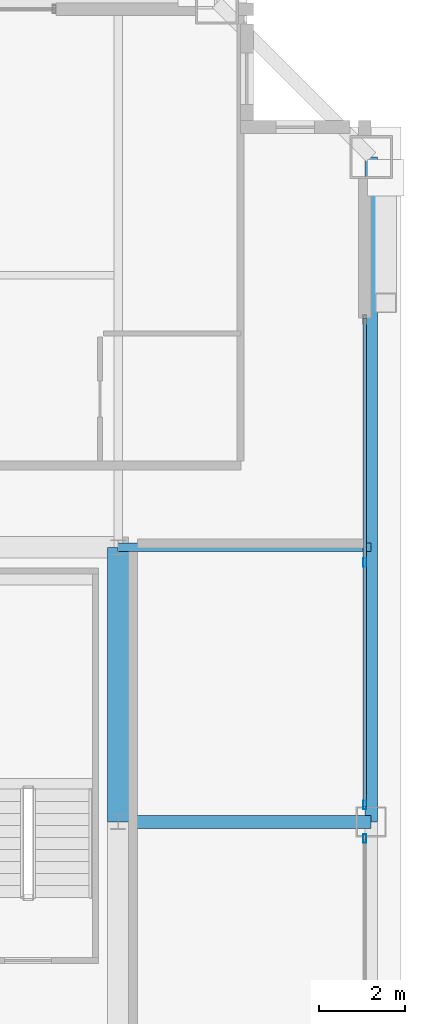
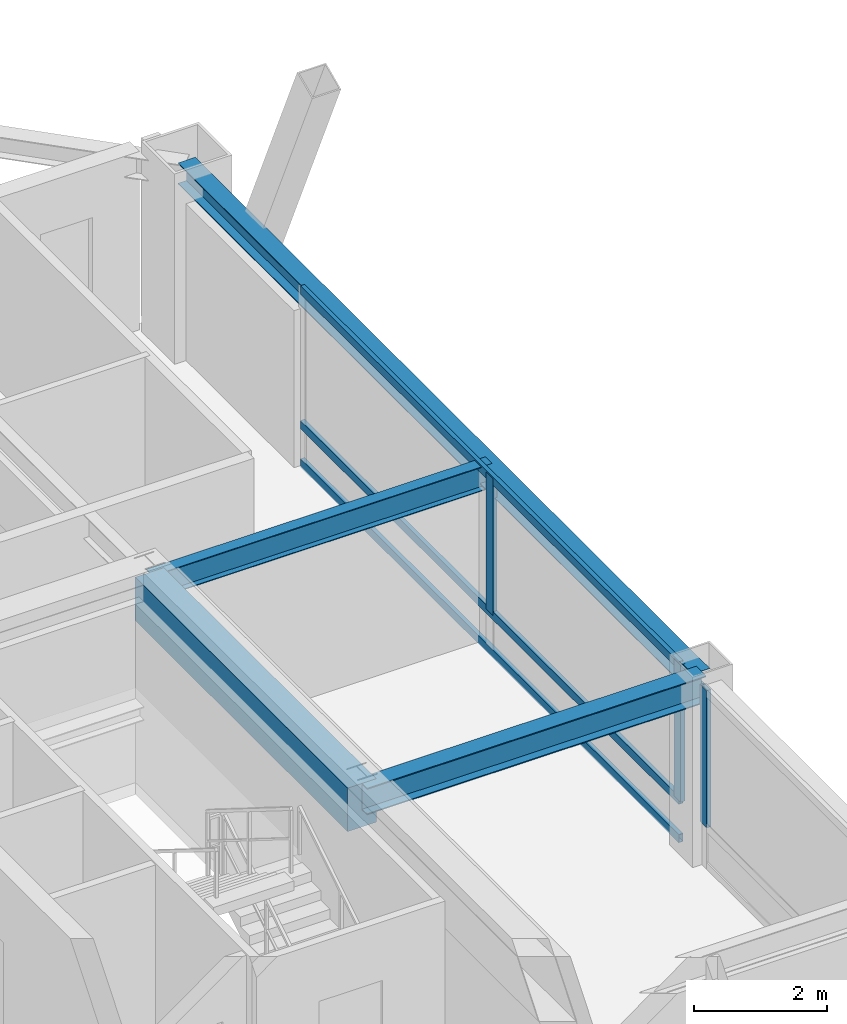
# One storey, part 13 of 33: 6 members, 4 beams, 2 elements without a shape of their own.
"""IFC4 building model written with IfcOpenShell, lengths in metres."""

import ifcopenshell
import ifcopenshell.guid

model = None  # the IFC model being written
_history = None  # IfcOwnerHistory: only IFC2X3 demands one
_inside = {}  # id of a spatial element -> (the spatial element, [elements in it])
_under = {}  # id of a project, library or spatial element -> (it, [spatial elements below it])
_declared = {}  # id of a project -> (the project, [libraries it declares])
_typed = {}  # id of a type object -> (the type object, [elements of that type])
_made_of = {}  # id of a material, layer set ... -> (it, [elements and type objects made of it])


def new_model(schema):
    """Start an empty IFC model of exactly this schema.

    Asked for "IFC4X3", IfcOpenShell would pick the latest addendum, in which some entities
    have other attributes; the version numbers below select the first issue.
    IFC2X3 requires an IfcOwnerHistory on every rooted entity: one is made here for all.
    """
    global model, _history
    if schema == "IFC4X3":
        model = ifcopenshell.file(schema_version=(4, 3, 0, 0))
    else:
        model = ifcopenshell.file(schema=schema)
    _inside.clear()
    _under.clear()
    _declared.clear()
    _typed.clear()
    _made_of.clear()
    _history = None
    if model.schema == "IFC2X3":
        org = make("IfcOrganization", Name="unknown")
        user = make(
            "IfcPersonAndOrganization",
            ThePerson=make("IfcPerson", FamilyName="unknown"),
            TheOrganization=org,
        )
        app = make(
            "IfcApplication",
            ApplicationDeveloper=org,
            Version="unknown",
            ApplicationFullName="unknown",
            ApplicationIdentifier="unknown",
        )
        _history = make(
            "IfcOwnerHistory",
            OwningUser=user,
            OwningApplication=app,
            ChangeAction="ADDED",
            CreationDate=0,
        )
    return model


def make(cls, **values):
    """One entity of the class cls with the attributes given. An attribute that is None is left unset."""
    return model.create_entity(
        cls, **{name: value for name, value in values.items() if value is not None}
    )


def rooted(cls, **values):
    """An entity with a GlobalId (a new one), such as an element, a storey or a relation."""
    return make(cls, GlobalId=ifcopenshell.guid.new(), OwnerHistory=_history, **values)


def si_unit(unit_type, name, prefix=None):
    """IfcSIUnit, for example si_unit("LENGTHUNIT", "METRE", prefix="MILLI")."""
    return make("IfcSIUnit", UnitType=unit_type, Prefix=prefix, Name=name)


def assignment(units):
    """IfcUnitAssignment: the units of a project."""
    return None if units is None else make("IfcUnitAssignment", Units=units)


def point(xyz):
    """IfcCartesianPoint."""
    return None if xyz is None else make("IfcCartesianPoint", Coordinates=xyz)


def direction(xyz):
    """IfcDirection."""
    return None if xyz is None else make("IfcDirection", DirectionRatios=xyz)


def frame(location, z_axis=None, x_axis=None):
    """IfcAxis2Placement3D, a coordinate frame: its origin and axes. An axis left out is left unset."""
    return make(
        "IfcAxis2Placement3D",
        Location=point(location),
        Axis=direction(z_axis),
        RefDirection=direction(x_axis),
    )


def frame_2d(location, x_axis=None):
    """IfcAxis2Placement2D, a coordinate frame in the plane: its origin and x axis."""
    return make(
        "IfcAxis2Placement2D", Location=point(location), RefDirection=direction(x_axis)
    )


def origin():
    """The frame at (0, 0, 0) with its axes left unset."""
    return frame((0.0, 0.0, 0.0))


def origin_2d():
    """The frame at (0, 0) in the plane with its x axis left unset."""
    return frame_2d((0.0, 0.0))


def place(relative_to, where):
    """IfcLocalPlacement: puts the frame where relative to a parent placement (None: the world)."""
    return make(
        "IfcLocalPlacement", PlacementRelTo=relative_to, RelativePlacement=where
    )


def context(
    kind, dimensions, precision=None, world=None, true_north=None, identifier=None
):
    """IfcGeometricRepresentationContext, for example the 3D "Model" context."""
    return make(
        "IfcGeometricRepresentationContext",
        ContextIdentifier=identifier,
        ContextType=kind,
        CoordinateSpaceDimension=dimensions,
        Precision=precision,
        WorldCoordinateSystem=world,
        TrueNorth=true_north,
    )


def subcontext(parent, identifier, kind, view, scale=None):
    """IfcGeometricRepresentationSubContext, for example "Body" below "Model"."""
    return make(
        "IfcGeometricRepresentationSubContext",
        ContextIdentifier=identifier,
        ContextType=kind,
        ParentContext=parent,
        TargetScale=scale,
        TargetView=view,
    )


def project(units=None, contexts=None):
    """IfcProject with its units and contexts."""
    return rooted(
        "IfcProject",
        Name="project",
        RepresentationContexts=contexts,
        UnitsInContext=assignment(units),
    )


def spatial(cls, under=None, at=None, **own):
    """A site, building, storey or space (cls), placed at a placement, below another one or the project."""
    s = rooted(cls, ObjectPlacement=at, **own)
    if under is not None:
        _under.setdefault(under.id(), (under, []))[1].append(s)
    return s


def profile(cls, at=None, kind="AREA", **sizes):
    """A parametric profile (cls). Its sizes go by their IFC names, for example OverallWidth=200.0."""
    return make(cls, ProfileType=kind, Position=at, **sizes)


def rectangle(**sizes):
    """IfcRectangleProfileDef."""
    return profile("IfcRectangleProfileDef", **sizes)


def hollow_rectangle(**sizes):
    """IfcRectangleHollowProfileDef."""
    return profile("IfcRectangleHollowProfileDef", **sizes)


def i_section(**sizes):
    """IfcIShapeProfileDef."""
    return profile("IfcIShapeProfileDef", **sizes)


def extrude(swept, where, along, depth):
    """IfcExtrudedAreaSolid: the profile swept, set in the frame where, extruded along a direction by depth."""
    return make(
        "IfcExtrudedAreaSolid",
        SweptArea=swept,
        Position=where,
        ExtrudedDirection=direction(along),
        Depth=depth,
    )


def shape(context_of_items, identifier, shape_type, items):
    """IfcShapeRepresentation: the items that make up one representation, for example the "Body"."""
    return make(
        "IfcShapeRepresentation",
        ContextOfItems=context_of_items,
        RepresentationIdentifier=identifier,
        RepresentationType=shape_type,
        Items=items,
    )


def source(mapping_origin, context_of_items, identifier, shape_type, items):
    """IfcRepresentationMap: a shape defined once, which mapped items show again and again."""
    return make(
        "IfcRepresentationMap",
        MappingOrigin=mapping_origin,
        MappedRepresentation=shape(context_of_items, identifier, shape_type, items),
    )


def transform(
    local_origin,
    x_axis=None,
    y_axis=None,
    z_axis=None,
    scale=None,
    scale2=None,
    scale3=None,
    uniform=True,
):
    """IfcCartesianTransformationOperator3D, or its non-uniform kind. x_axis, y_axis, z_axis: its Axis1, 2, 3."""
    if uniform:
        return make(
            "IfcCartesianTransformationOperator3D",
            Axis1=direction(x_axis),
            Axis2=direction(y_axis),
            LocalOrigin=point(local_origin),
            Scale=scale,
            Axis3=direction(z_axis),
        )
    return make(
        "IfcCartesianTransformationOperator3DnonUniform",
        Axis1=direction(x_axis),
        Axis2=direction(y_axis),
        LocalOrigin=point(local_origin),
        Scale=scale,
        Axis3=direction(z_axis),
        Scale2=scale2,
        Scale3=scale3,
    )


def mapped(mapping_source, mapping_target):
    """IfcMappedItem: shows the shape of a source again, moved by a transform."""
    return make(
        "IfcMappedItem", MappingSource=mapping_source, MappingTarget=mapping_target
    )


def material(Name=None, Category=None):
    """IfcMaterial."""
    return make("IfcMaterial", Name=Name, Category=Category)


def layer(
    of_material, thickness, ventilated=None, Name=None, Category=None, Priority=None
):
    """IfcMaterialLayer: one layer of a wall or slab, of a material (None: an air gap)."""
    return make(
        "IfcMaterialLayer",
        Material=of_material,
        LayerThickness=thickness,
        IsVentilated=ventilated,
        Name=Name,
        Category=Category,
        Priority=Priority,
    )


def layer_set(layers, Name=None):
    """IfcMaterialLayerSet."""
    return make("IfcMaterialLayerSet", MaterialLayers=layers, LayerSetName=Name)


def material_profile(
    of_material, cross_section, Name=None, Category=None, Priority=None
):
    """IfcMaterialProfile: a cross section and its material."""
    return make(
        "IfcMaterialProfile",
        Name=Name,
        Material=of_material,
        Profile=cross_section,
        Priority=Priority,
        Category=Category,
    )


def profile_set(profiles, Name=None, composite=None):
    """IfcMaterialProfileSet."""
    return make(
        "IfcMaterialProfileSet",
        Name=Name,
        MaterialProfiles=profiles,
        CompositeProfile=composite,
    )


def made_of(thing, what):
    """Note that an element or type object is made of a material, layer set ...; save() writes the relation."""
    if what is not None:
        _made_of.setdefault(what.id(), (what, []))[1].append(thing)
    return thing


def type_object(cls, material=None, **own):
    """A type object (cls), such as IfcWallType, which elements share."""
    return made_of(rooted(cls, **own), material)


def element(
    cls,
    number,
    at=None,
    inside=None,
    cuts=None,
    type_object=None,
    material=None,
    context=None,
    identifier="Body",
    shape_type=None,
    held_by="IfcProductDefinitionShape",
    body=None,
    shapes=None,
    **own,
):
    """One element of the class cls, such as IfcWall. Its Tag is "e" and its number.

    at: its placement. inside: the storey or other place that contains it. cuts: it is an
    opening in that element (IfcRelVoidsElement). A single representation is given by context,
    identifier, shape_type and body (its items); several are given by shapes. held_by: the class
    of the entity that holds the representations. save() writes the other relations.
    """
    e = rooted(cls, Tag="e%d" % number, ObjectPlacement=at, **own)
    if body is not None:
        shapes = [shape(context, identifier, shape_type, body)]
    if shapes is not None:
        e.Representation = make(held_by, Representations=shapes)
    if inside is not None:
        _inside.setdefault(inside.id(), (inside, []))[1].append(e)
    if cuts is not None:
        rooted(
            "IfcRelVoidsElement", RelatingBuildingElement=cuts, RelatedOpeningElement=e
        )
    if type_object is not None:
        _typed.setdefault(type_object.id(), (type_object, []))[1].append(e)
    return made_of(e, material)


def aggregate(whole, parts):
    """IfcRelAggregates: a whole, such as a stair, and the parts it consists of."""
    return rooted("IfcRelAggregates", RelatingObject=whole, RelatedObjects=parts)


def save(model, path):
    """Write the relations noted so far, then the file.

    IfcRelAggregates (storeys below a building ...), IfcRelContainedInSpatialStructure (elements
    in a storey), IfcRelDefinesByType, IfcRelAssociatesMaterial and IfcRelDeclares: one each for
    every whole, place, type object, material and project.
    """
    for whole, parts in _under.values():
        aggregate(whole, parts)
    for where, things in _inside.values():
        rooted(
            "IfcRelContainedInSpatialStructure",
            RelatedElements=things,
            RelatingStructure=where,
        )
    for kind, things in _typed.values():
        rooted("IfcRelDefinesByType", RelatedObjects=things, RelatingType=kind)
    for what, things in _made_of.values():
        rooted("IfcRelAssociatesMaterial", RelatedObjects=things, RelatingMaterial=what)
    for by, libraries in _declared.values():
        rooted("IfcRelDeclares", RelatingContext=by, RelatedDefinitions=libraries)
    model.write(path)


model = new_model("IFC4")

# Units and contexts
model_context = context("Model", 3, precision=1e-05, world=origin(), true_north=direction((0.0, 1.0)))
body_context = subcontext(model_context, "Body", "Model", "MODEL_VIEW")
ifc_project = project(units=[si_unit("LENGTHUNIT", "METRE"), si_unit("AREAUNIT", "SQUARE_METRE"), si_unit("VOLUMEUNIT", "CUBIC_METRE"), si_unit("PLANEANGLEUNIT", "RADIAN"), si_unit("MASSUNIT", "GRAM", prefix="KILO"), si_unit("THERMODYNAMICTEMPERATUREUNIT", "KELVIN"), si_unit("POWERUNIT", "WATT")], contexts=[model_context])

# Site, building, storey
site_placement = place(None, origin())
site = spatial("IfcSite", under=ifc_project, at=site_placement, CompositionType="ELEMENT")
building_placement = place(site_placement, origin())
building = spatial("IfcBuilding", under=site, at=building_placement, Name="Yuzanri Waterfront Tower", CompositionType="ELEMENT")
storey_placement = place(building_placement, frame((0.0, 0.0, 321.699951171875)))
storey = spatial("IfcBuildingStorey", under=building, at=storey_placement, Name="L86", CompositionType="ELEMENT", Elevation=321.699951171875)

# Beams
ifc_material_1 = material(Name="Concrete C50", Category="concrete")
ifc_material_profile_1 = material_profile(ifc_material_1, rectangle(XDim=0.5, YDim=0.800048828125, at=origin_2d()), Name="RC 500x800")
ifc_profile_set_1 = profile_set([ifc_material_profile_1], Name="Concrete C50")
beam_type_1 = type_object("IfcBeamType", Name="Core Coupling Lintel Concrete C50 500x800", PredefinedType="LINTEL", material=ifc_profile_set_1)
shared_shape_1 = source(origin(), body_context, "Body", "SweptSolid", [
    extrude(rectangle(XDim=0.5, YDim=0.800048828125, at=origin_2d()), origin(), (0.0, 0.0, 1.0), 6.39990234375),
])
beam_1_placement = place(storey_placement, frame((50.199951171875, 25.800048828125, 2.880126953125), z_axis=(0.0, 1.0, 0.0), x_axis=(-1.0, 0.0, 0.0)))
element("IfcBeam", 1, at=beam_1_placement, inside=storey, type_object=beam_type_1, Name="L86 Core Tie Beam CE2", PredefinedType="LINTEL", context=body_context, shape_type="MappedRepresentation", body=[
    mapped(shared_shape_1, transform((0.0, 0.0, 0.0), scale=1.0)),
])
ifc_material_2 = material(Name="Steel Q355B", Category="steel")
ifc_material_profile_2 = material_profile(ifc_material_2, i_section(OverallWidth=0.300048828125, OverallDepth=0.389892578125, WebThickness=0.010009765625, FlangeThickness=0.01611328125, at=origin_2d()), Name="HM 390x300x10x16")
ifc_profile_set_2 = profile_set([ifc_material_profile_2], Name="Steel Q355B")
beam_type_2 = type_object("IfcBeamType", Name="Perimeter Spandrel Q355B HM 390x300", PredefinedType="SPANDREL", material=ifc_profile_set_2)
shared_shape_2 = source(origin(), body_context, "Body", "SweptSolid", [
    extrude(i_section(OverallWidth=0.300048828125, OverallDepth=0.389892578125, WebThickness=0.010009765625, FlangeThickness=0.01611328125, at=origin_2d()), origin(), (0.0, 0.0, 1.0), 15.5),
])
beam_2_placement = place(storey_placement, frame((56.10009765625, 25.800048828125, 3.0849609375), z_axis=(0.0, 1.0, 0.0), x_axis=(-1.0, 0.0, 0.0)))
element("IfcBeam", 2, at=beam_2_placement, inside=storey, type_object=beam_type_2, Name="L86 Perimeter Spandrel E2-E3", PredefinedType="SPANDREL", context=body_context, shape_type="MappedRepresentation", body=[
    mapped(shared_shape_2, transform((0.0, 0.0, 0.0), scale=1.0)),
])
ifc_material_3 = material(Name="Steel Q355B", Category="steel")
ifc_material_profile_3 = material_profile(ifc_material_3, i_section(OverallWidth=0.300048828125, OverallDepth=0.488037109375, WebThickness=0.010986328125, FlangeThickness=0.01806640625, at=origin_2d()), Name="HM 488x300x11x18")
ifc_profile_set_3 = profile_set([ifc_material_profile_3], Name="Steel Q355B")
beam_type_3 = type_object("IfcBeamType", Name="Primary Floor Girder Q355B HM 488x300", PredefinedType="BEAM", material=ifc_profile_set_3)
shared_shape_3 = source(origin(), body_context, "Body", "SweptSolid", [
    extrude(i_section(OverallWidth=0.300048828125, OverallDepth=0.488037109375, WebThickness=0.010986328125, FlangeThickness=0.01806640625, at=origin_2d()), origin(), (0.0, 0.0, 1.0), 5.900146484375),
])
beam_3_placement = place(storey_placement, frame((50.199951171875, 25.800048828125, 3.0361328125), z_axis=(1.0, 0.0, 0.0), x_axis=(0.0, 1.0, 0.0)))
element("IfcBeam", 3, at=beam_3_placement, inside=storey, type_object=beam_type_3, Name="L86 East Grid Girder", PredefinedType="BEAM", context=body_context, shape_type="MappedRepresentation", body=[
    mapped(shared_shape_3, transform((0.0, 0.0, 0.0), scale=1.0)),
])
ifc_material_4 = material(Name="Steel Q355B", Category="steel")
ifc_material_profile_4 = material_profile(ifc_material_4, i_section(OverallWidth=0.199951171875, OverallDepth=0.449951171875, WebThickness=0.009033203125, FlangeThickness=0.013916015625, at=origin_2d()), Name="HN 450x200x9x14")
ifc_profile_set_4 = profile_set([ifc_material_profile_4], Name="Steel Q355B")
beam_type_4 = type_object("IfcBeamType", Name="Secondary Floor Beam Q355B HN 450x200", PredefinedType="BEAM", material=ifc_profile_set_4)
shared_shape_4 = source(origin(), body_context, "Body", "SweptSolid", [
    extrude(i_section(OverallWidth=0.199951171875, OverallDepth=0.449951171875, WebThickness=0.009033203125, FlangeThickness=0.013916015625, at=origin_2d()), origin(), (0.0, 0.0, 1.0), 5.900146484375),
])
beam_4_placement = place(storey_placement, frame((50.199951171875, 32.199951171875, 3.054931640625), z_axis=(1.0, 0.0, 0.0), x_axis=(0.0, 1.0, 0.0)))
element("IfcBeam", 4, at=beam_4_placement, inside=storey, type_object=beam_type_4, Name="L86 East-North Core Line Beam", PredefinedType="BEAM", context=body_context, shape_type="MappedRepresentation", body=[
    mapped(shared_shape_4, transform((0.0, 0.0, 0.0), scale=1.0)),
])

# Curtain wall, member
ifc_material_5 = material(Name="Anodized Architectural Bronze", Category="metal")
ifc_layer = layer(ifc_material_5, 0.159912109375)
ifc_layer_set = layer_set([ifc_layer], Name="Anodized Architectural Bronze")
curtain_wall_type = type_object("IfcCurtainWallType", Name="Anodized Bronze High-Rise Penthouse High-Wind Unitized Curtain Wall 6900", PredefinedType="NOTDEFINED", material=ifc_layer_set)
curtain_wall_1_placement = place(storey_placement, origin())
curtain_wall_1 = element("IfcCurtainWall", 5, at=curtain_wall_1_placement, inside=storey, type_object=curtain_wall_type, Name="L86 Curtain Wall CW-L86-EL", PredefinedType="NOTDEFINED")
ifc_material_6 = material(Name="Anodized Architectural Bronze", Category="metal")
ifc_material_profile_5 = material_profile(ifc_material_6, hollow_rectangle(XDim=0.074951171875, YDim=0.199951171875, WallThickness=0.00390625, at=origin_2d()), Name="CWM 75x200")
ifc_profile_set_5 = profile_set([ifc_material_profile_5], Name="Anodized Architectural Bronze")
member_type_1 = type_object("IfcMemberType", Name="Anodized Bronze Primary Curtain-Wall Mullion 75x200", PredefinedType="MULLION", material=ifc_profile_set_5)
shared_shape_5 = source(origin(), body_context, "Body", "SweptSolid", [
    extrude(hollow_rectangle(XDim=0.074951171875, YDim=0.199951171875, WallThickness=0.00390625, at=origin_2d()), origin(), (0.0, 0.0, 1.0), 2.52392578125),
])
member_1_placement = place(storey_placement, frame((55.949951171875, 25.409912109375, 0.756103515625), z_axis=(0.0, 0.0, 1.0), x_axis=(1.0, 0.0, 0.0)))
member_1 = element("IfcMember", 6, at=member_1_placement, type_object=member_type_1, Name="CW-L86-EL Upper Mullion 02", PredefinedType="MULLION", context=body_context, shape_type="MappedRepresentation", body=[
    mapped(shared_shape_5, transform((0.0, 0.0, 0.0), scale=1.0)),
])
aggregate(curtain_wall_1, [member_1])

# Curtain wall, members
curtain_wall_2_placement = place(storey_placement, origin())
curtain_wall_2 = element("IfcCurtainWall", 7, at=curtain_wall_2_placement, inside=storey, type_object=curtain_wall_type, Name="L86 Curtain Wall CW-L86-ER", PredefinedType="NOTDEFINED")
member_2_placement = place(storey_placement, frame((55.949951171875, 26.18994140625, 0.756103515625), z_axis=(0.0, 0.0, 1.0), x_axis=(1.0, 0.0, 0.0)))
member_2 = element("IfcMember", 8, at=member_2_placement, type_object=member_type_1, Name="CW-L86-ER Upper Mullion 00", PredefinedType="MULLION", context=body_context, shape_type="MappedRepresentation", body=[
    mapped(shared_shape_5, transform((0.0, 0.0, 0.0), scale=1.0)),
])
member_3_placement = place(storey_placement, frame((55.949951171875, 31.85009765625, 0.756103515625), z_axis=(0.0, 0.0, 1.0), x_axis=(1.0, 0.0, 0.0)))
member_3 = element("IfcMember", 9, at=member_3_placement, type_object=member_type_1, Name="CW-L86-ER Upper Mullion 01", PredefinedType="MULLION", context=body_context, shape_type="MappedRepresentation", body=[
    mapped(shared_shape_5, transform((0.0, 0.0, 0.0), scale=1.0)),
])
ifc_material_7 = material(Name="Anodized Architectural Bronze", Category="metal")
ifc_material_profile_6 = material_profile(ifc_material_7, hollow_rectangle(XDim=0.074951171875, YDim=0.14990234375, WallThickness=0.00390625, at=origin_2d()), Name="CWT 75x150")
ifc_profile_set_6 = profile_set([ifc_material_profile_6], Name="Anodized Architectural Bronze")
member_type_2 = type_object("IfcMemberType", Name="Anodized Bronze Primary Curtain-Wall Transom 75x150", PredefinedType="USERDEFINED", material=ifc_profile_set_6)
shared_shape_6 = source(origin(), body_context, "Body", "SweptSolid", [
    extrude(hollow_rectangle(XDim=0.074951171875, YDim=0.14990234375, WallThickness=0.00390625, at=origin_2d()), origin(), (0.0, 0.0, 1.0), 11.400146484375),
])
member_4_placement = place(storey_placement, frame((55.949951171875, 26.14990234375, 0.050048828125), z_axis=(0.0, 1.0, 0.0), x_axis=(-1.0, 0.0, 0.0)))
member_4 = element("IfcMember", 10, at=member_4_placement, type_object=member_type_2, Name="CW-L86-ER Transom 1", ObjectType="TRANSOM", PredefinedType="USERDEFINED", context=body_context, shape_type="MappedRepresentation", body=[
    mapped(shared_shape_6, transform((0.0, 0.0, 0.0), scale=1.0)),
])
member_5_placement = place(storey_placement, frame((55.949951171875, 26.14990234375, 0.754150390625), z_axis=(0.0, 1.0, 0.0), x_axis=(-1.0, 0.0, 0.0)))
member_5 = element("IfcMember", 11, at=member_5_placement, type_object=member_type_2, Name="CW-L86-ER Transom 2", ObjectType="TRANSOM", PredefinedType="USERDEFINED", context=body_context, shape_type="MappedRepresentation", body=[
    mapped(shared_shape_6, transform((0.0, 0.0, 0.0), scale=1.0)),
])
member_6_placement = place(storey_placement, frame((55.949951171875, 26.14990234375, 3.22998046875), z_axis=(0.0, 1.0, 0.0), x_axis=(-1.0, 0.0, 0.0)))
member_6 = element("IfcMember", 12, at=member_6_placement, type_object=member_type_2, Name="CW-L86-ER Transom 3", ObjectType="TRANSOM", PredefinedType="USERDEFINED", context=body_context, shape_type="MappedRepresentation", body=[
    mapped(shared_shape_6, transform((0.0, 0.0, 0.0), scale=1.0)),
])
aggregate(curtain_wall_2, [member_2, member_3, member_4, member_5, member_6])

save(model, "model.ifc")
